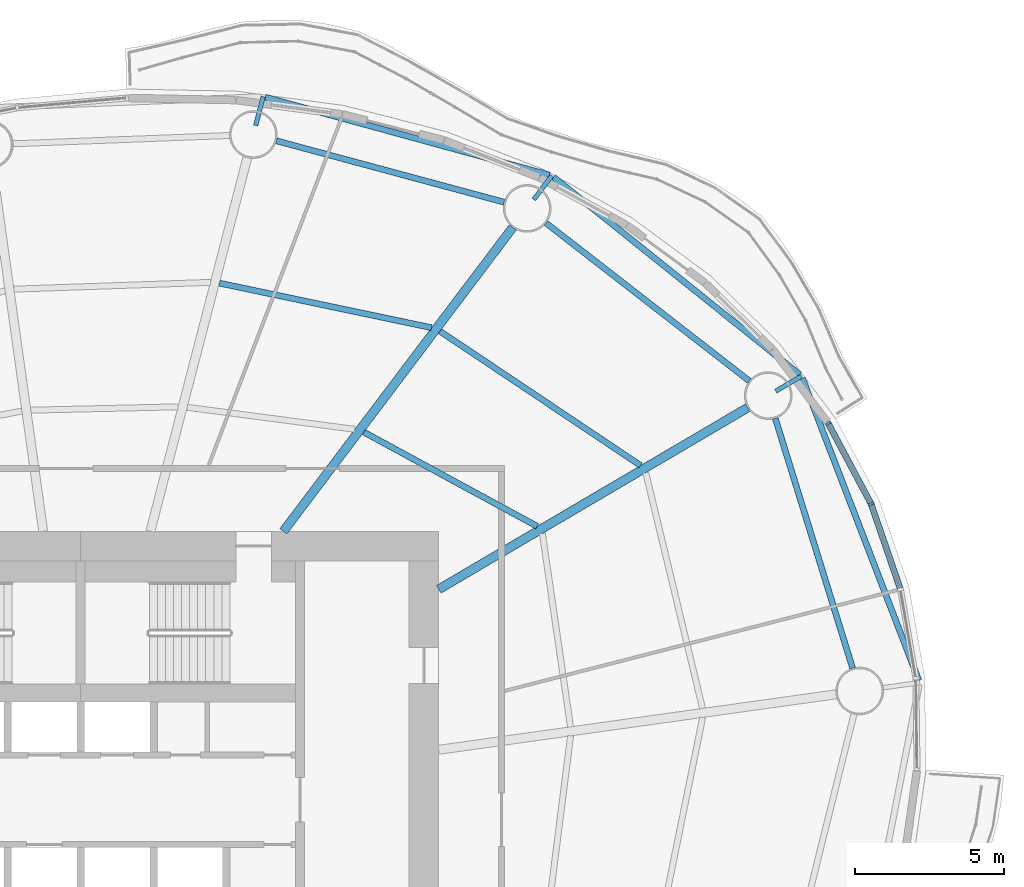
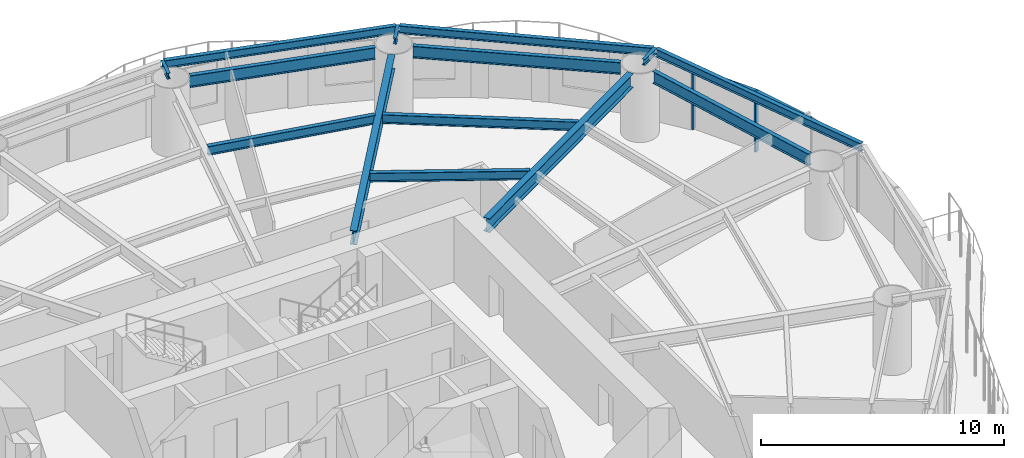
# One storey, part 6 of 17: 14 beams, 4 members, 2 elements without a shape of their own.
"""IFC4 building model written with IfcOpenShell, lengths in metres."""

from ifc_helpers import new_model, si_unit, direction, frame, origin, origin_2d, place, context, subcontext, project, spatial, rectangle, i_section, extrude, material, material_profile, profile_set, type_object, element, aggregate, save


model = new_model("IFC4")

# Units and contexts
model_context = context("Model", 3, precision=1e-05, world=origin(), true_north=direction((0.0, 1.0)))
body_context = subcontext(model_context, "Body", "Model", "MODEL_VIEW")
ifc_project = project(units=[si_unit("LENGTHUNIT", "METRE"), si_unit("AREAUNIT", "SQUARE_METRE"), si_unit("VOLUMEUNIT", "CUBIC_METRE"), si_unit("PLANEANGLEUNIT", "RADIAN"), si_unit("MASSUNIT", "GRAM", prefix="KILO")], contexts=[model_context])

# Site, building, storey
site_placement = place(None, origin())
site = spatial("IfcSite", under=ifc_project, at=site_placement, CompositionType="ELEMENT")
building_placement = place(site_placement, origin())
building = spatial("IfcBuilding", under=site, at=building_placement, Name="Vermilion Reach Broadcast Tower", CompositionType="ELEMENT")
storey_placement = place(building_placement, frame((0.0, 0.0, 92.199951171875)))
storey = spatial("IfcBuildingStorey", under=building, at=storey_placement, Name="L20", CompositionType="ELEMENT", Elevation=92.199951171875)

# Beams
ifc_material_1 = material(Name="Steel S355J2", Category="steel")
ifc_material_profile_1 = material_profile(ifc_material_1, i_section(OverallWidth=0.199951171875, OverallDepth=0.39990234375, WebThickness=0.008056640625, FlangeThickness=0.012939453125, at=origin_2d()), Name="S355J2 HN 400x200x8x13")
ifc_profile_set_1 = profile_set([ifc_material_profile_1], Name="Steel S355J2")
beam_type_1 = type_object("IfcBeamType", Name="EB2 HN 400x200x8x13", PredefinedType="BEAM", material=ifc_profile_set_1)
beam_1_placement = place(storey_placement, frame((18.0966796875, 14.252685546875, 3.25), z_axis=(-0.780016605802, 0.625758815098, 0.0), x_axis=(-0.625758815098, -0.780016605802, 0.0)))
element("IfcBeam", 1, at=beam_1_placement, inside=storey, type_object=beam_type_1, Name="Edge beam EB2-01", PredefinedType="BEAM", context=body_context, shape_type="SweptSolid", body=[
    extrude(i_section(OverallWidth=0.199951171875, OverallDepth=0.39990234375, WebThickness=0.008056640625, FlangeThickness=0.012939453125, at=origin_2d()), origin(), (0.0, 0.0, 1.0), 10.573974609375),
])
beam_2_placement = place(storey_placement, frame((9.71240234375, 20.937744140625, 3.25), z_axis=(-0.964459063659, 0.264232311662, 0.0), x_axis=(-0.264232311662, -0.964459063659, 0.0)))
element("IfcBeam", 2, at=beam_2_placement, inside=storey, type_object=beam_type_1, Name="Edge beam EB2-02", PredefinedType="BEAM", context=body_context, shape_type="SweptSolid", body=[
    extrude(i_section(OverallWidth=0.199951171875, OverallDepth=0.39990234375, WebThickness=0.008056640625, FlangeThickness=0.012939453125, at=origin_2d()), origin(), (0.0, 0.0, 1.0), 9.874267578125),
])
beam_3_placement = place(storey_placement, frame((22.091552734375, 3.998779296875, 3.25), z_axis=(-0.359604215005, 0.933104929014, 0.0), x_axis=(-0.933104929014, -0.359604215005, 0.0)))
element("IfcBeam", 3, at=beam_3_placement, inside=storey, type_object=beam_type_1, Name="Edge beam EB2-16", PredefinedType="BEAM", context=body_context, shape_type="SweptSolid", body=[
    extrude(i_section(OverallWidth=0.199951171875, OverallDepth=0.39990234375, WebThickness=0.008056640625, FlangeThickness=0.012939453125, at=origin_2d()), origin(), (0.0, 0.0, 1.0), 10.859130859375),
])
ifc_material_2 = material(Name="Steel S355J2", Category="steel")
ifc_material_profile_2 = material_profile(ifc_material_2, i_section(OverallWidth=0.300048828125, OverallDepth=0.699951171875, WebThickness=0.012939453125, FlangeThickness=0.02392578125, at=origin_2d()), Name="S355J2 HN 700x300x13x24")
ifc_profile_set_2 = profile_set([ifc_material_profile_2], Name="Steel S355J2")
beam_type_2 = type_object("IfcBeamType", Name="G2 HN 700x300x13x24", PredefinedType="BEAM", material=ifc_profile_set_2)
beam_4_placement = place(storey_placement, frame((6.0, 7.054443359375, 3.10009765625), z_axis=(0.862071616631, 0.506786471603, 0.0), x_axis=(-0.506786471603, 0.862071616631, 0.0)))
element("IfcBeam", 4, at=beam_4_placement, inside=storey, type_object=beam_type_2, Name="Girder G2-01", PredefinedType="BEAM", context=body_context, shape_type="SweptSolid", body=[
    extrude(i_section(OverallWidth=0.300048828125, OverallDepth=0.699951171875, WebThickness=0.012939453125, FlangeThickness=0.02392578125, at=origin_2d()), origin(), (0.0, 0.0, 1.0), 12.01025390625),
])
beam_5_placement = place(storey_placement, frame((0.794189453125, 9.0, 3.10009765625), z_axis=(0.602519842365, 0.798103902733, 0.0), x_axis=(-0.798103902733, 0.602519842365, 0.0)))
element("IfcBeam", 5, at=beam_5_placement, inside=storey, type_object=beam_type_2, Name="Girder G2-02", PredefinedType="BEAM", context=body_context, shape_type="SweptSolid", body=[
    extrude(i_section(OverallWidth=0.300048828125, OverallDepth=0.699951171875, WebThickness=0.012939453125, FlangeThickness=0.02392578125, at=origin_2d()), origin(), (0.0, 0.0, 1.0), 12.758544921875),
])
ifc_material_3 = material(Name="Steel S355J2", Category="steel")
ifc_material_profile_3 = material_profile(ifc_material_3, i_section(OverallWidth=0.14990234375, OverallDepth=0.300048828125, WebThickness=0.006591796875, FlangeThickness=0.009033203125, at=origin_2d()), Name="S355J2 HN 300x150x6.5x9")
ifc_profile_set_3 = profile_set([ifc_material_profile_3], Name="Steel S355J2")
beam_type_3 = type_object("IfcBeamType", Name="GS2 HN 300x150x6.5x9", PredefinedType="BEAM", material=ifc_profile_set_3)
for number, where, z_axis, x_axis, name in (
    (6, (17.297119140625, 13.69580078125, 3.300048828125), (0.862153821816, 0.506646610102, 0.0), (-0.506646610102, 0.862153821816, 0.0), "Cantilever stub GS2-01"),
    (7, (9.187744140625, 20.118408203125, 3.300048828125), (0.602536027779, 0.798091683473, 0.0), (-0.798091683473, 0.602536027779, 0.0), "Cantilever stub GS2-02"),
):
    element("IfcBeam", number, at=place(storey_placement, frame(where, z_axis=z_axis, x_axis=x_axis)), inside=storey, type_object=beam_type_3, Name=name, PredefinedType="BEAM", context=body_context, shape_type="SweptSolid", body=[
        extrude(i_section(OverallWidth=0.14990234375, OverallDepth=0.300048828125, WebThickness=0.006591796875, FlangeThickness=0.009033203125, at=origin_2d()), origin(), (0.0, 0.0, 1.0), 1.0),
    ])
beam_6_placement = place(storey_placement, frame((-0.134521484375, 22.598876953125, 3.300048828125), z_axis=(0.251258738033, 0.967919958758, 0.0), x_axis=(-0.967919958758, 0.251258738033, 0.0)))
element("IfcBeam", 8, at=beam_6_placement, inside=storey, type_object=beam_type_3, Name="Cantilever stub GS2-03", PredefinedType="BEAM", context=body_context, shape_type="SweptSolid", body=[
    extrude(i_section(OverallWidth=0.14990234375, OverallDepth=0.300048828125, WebThickness=0.006591796875, FlangeThickness=0.009033203125, at=origin_2d()), origin(), (0.0, 0.0, 1.0), 0.999755859375),
])
ifc_material_4 = material(Name="Steel S355J2", Category="steel")
ifc_material_profile_4 = material_profile(ifc_material_4, i_section(OverallWidth=0.199951171875, OverallDepth=0.60009765625, WebThickness=0.010986328125, FlangeThickness=0.01708984375, at=origin_2d()), Name="S355J2 HN 600x200x11x17")
ifc_profile_set_4 = profile_set([ifc_material_profile_4], Name="Steel S355J2")
beam_type_4 = type_object("IfcBeamType", Name="RB2 HN 600x200x11x17", PredefinedType="BEAM", material=ifc_profile_set_4)
beam_7_placement = place(storey_placement, frame((16.41162109375, 14.037109375, 3.150146484375), z_axis=(-0.789825712432, 0.613331349257, 0.0), x_axis=(-0.613331349257, -0.789825712432, 0.0)))
element("IfcBeam", 9, at=beam_7_placement, inside=storey, type_object=beam_type_4, Name="Ring beam RB2-01", PredefinedType="BEAM", context=body_context, shape_type="SweptSolid", body=[
    extrude(i_section(OverallWidth=0.199951171875, OverallDepth=0.60009765625, WebThickness=0.010986328125, FlangeThickness=0.01708984375, at=origin_2d()), origin(), (0.0, 0.0, 1.0), 8.63037109375),
])
beam_8_placement = place(storey_placement, frame((8.19091796875, 20.029296875, 3.150146484375), z_axis=(-0.965541463834, 0.260249268234, 0.0), x_axis=(-0.260249268234, -0.965541463834, 0.0)))
element("IfcBeam", 10, at=beam_8_placement, inside=storey, type_object=beam_type_4, Name="Ring beam RB2-02", PredefinedType="BEAM", context=body_context, shape_type="SweptSolid", body=[
    extrude(i_section(OverallWidth=0.199951171875, OverallDepth=0.60009765625, WebThickness=0.010986328125, FlangeThickness=0.01708984375, at=origin_2d()), origin(), (0.0, 0.0, 1.0), 7.904541015625),
])
beam_9_placement = place(storey_placement, frame((19.872314453125, 4.410400390625, 3.150146484375), z_axis=(-0.295788439635, 0.95525347368, 0.0), x_axis=(-0.95525347368, -0.295788439635, 0.0)))
element("IfcBeam", 11, at=beam_9_placement, inside=storey, type_object=beam_type_4, Name="Ring beam RB2-16", PredefinedType="BEAM", context=body_context, shape_type="SweptSolid", body=[
    extrude(i_section(OverallWidth=0.199951171875, OverallDepth=0.60009765625, WebThickness=0.010986328125, FlangeThickness=0.01708984375, at=origin_2d()), origin(), (0.0, 0.0, 1.0), 8.763916015625),
])
ifc_material_5 = material(Name="Steel S355J2", Category="steel")
ifc_material_profile_5 = material_profile(ifc_material_5, i_section(OverallWidth=0.199951171875, OverallDepth=0.449951171875, WebThickness=0.009033203125, FlangeThickness=0.013916015625, at=origin_2d()), Name="S355J2 HN 450x200x9x14")
ifc_profile_set_5 = profile_set([ifc_material_profile_5], Name="Steel S355J2")
beam_type_5 = type_object("IfcBeamType", Name="SB2 HN 450x200x9x14", PredefinedType="BEAM", material=ifc_profile_set_5)
beam_10_placement = place(storey_placement, frame((9.29736328125, 9.1669921875, 3.22509765625), z_axis=(-0.878713106774, 0.477350265512, 0.0), x_axis=(-0.477350265512, -0.878713106774, 0.0)))
element("IfcBeam", 12, at=beam_10_placement, inside=storey, type_object=beam_type_5, Name="Secondary beam SB2-01-1", PredefinedType="BEAM", context=body_context, shape_type="SweptSolid", body=[
    extrude(i_section(OverallWidth=0.199951171875, OverallDepth=0.449951171875, WebThickness=0.009033203125, FlangeThickness=0.013916015625, at=origin_2d()), origin(), (0.0, 0.0, 1.0), 6.60888671875),
])
beam_11_placement = place(storey_placement, frame((12.76416015625, 11.204833984375, 3.22509765625), z_axis=(-0.830915400975, 0.556398774641, 0.0), x_axis=(-0.556398774641, -0.830915400975, 0.0)))
element("IfcBeam", 13, at=beam_11_placement, inside=storey, type_object=beam_type_5, Name="Secondary beam SB2-01-2", PredefinedType="BEAM", context=body_context, shape_type="SweptSolid", body=[
    extrude(i_section(OverallWidth=0.199951171875, OverallDepth=0.449951171875, WebThickness=0.009033203125, FlangeThickness=0.013916015625, at=origin_2d()), origin(), (0.0, 0.0, 1.0), 8.087646484375),
])
beam_12_placement = place(storey_placement, frame((5.7568359375, 15.822509765625, 3.22509765625), z_axis=(-0.978631382549, 0.205622511148, 0.0), x_axis=(-0.205622511148, -0.978631382549, 0.0)))
element("IfcBeam", 14, at=beam_12_placement, inside=storey, type_object=beam_type_5, Name="Secondary beam SB2-02-2", PredefinedType="BEAM", context=body_context, shape_type="SweptSolid", body=[
    extrude(i_section(OverallWidth=0.199951171875, OverallDepth=0.449951171875, WebThickness=0.009033203125, FlangeThickness=0.013916015625, at=origin_2d()), origin(), (0.0, 0.0, 1.0), 7.262939453125),
])

# Curtain wall, members
ifc_material_6 = material(Name="Low-e laminated clear glass in aluminium frame", Category="aluminium")
curtain_wall_type = type_object("IfcCurtainWallType", Name="Slot curtain wall", PredefinedType="NOTDEFINED", material=ifc_material_6)
placement = place(storey_placement, origin())
curtain_wall_1 = element("IfcCurtainWall", 15, at=placement, inside=storey, type_object=curtain_wall_type, Name="Slot curtain wall L20 01", PredefinedType="NOTDEFINED")
ifc_material_7 = material(Name="Anodised aluminium", Category="aluminium")
ifc_material_profile_6 = material_profile(ifc_material_7, rectangle(XDim=0.199951171875, YDim=0.080078125, at=origin_2d()), Name="Slot mullion 80 x 200")
ifc_profile_set_6 = profile_set([ifc_material_profile_6], Name="Anodised aluminium")
member_type_1 = type_object("IfcMemberType", Name="Slot mullion 80 x 200", PredefinedType="MULLION", material=ifc_profile_set_6)
member_1_placement = place(storey_placement, frame((20.489990234375, 9.91796875, 0.0), z_axis=(0.0, 0.0, 1.0), x_axis=(-0.916998224506, -0.398891283751, 0.0)))
member_1 = element("IfcMember", 16, at=member_1_placement, type_object=member_type_1, Name="Slot mullion L20 01", PredefinedType="MULLION", context=body_context, shape_type="SweptSolid", body=[
    extrude(rectangle(XDim=0.199951171875, YDim=0.080078125, at=origin_2d()), origin(), (0.0, 0.0, 1.0), 3.050048828125),
])
member_2_placement = place(storey_placement, frame((19.05419921875, 12.61328125, 0.0), z_axis=(0.0, 0.0, 1.0), x_axis=(-0.843640508692, -0.536908457835, 0.0)))
member_2 = element("IfcMember", 17, at=member_2_placement, type_object=member_type_1, Name="Slot mullion L20 02", PredefinedType="MULLION", context=body_context, shape_type="SweptSolid", body=[
    extrude(rectangle(XDim=0.199951171875, YDim=0.080078125, at=origin_2d()), origin(), (0.0, 0.0, 1.0), 3.050048828125),
])

# Curtain wall, member
curtain_wall_2 = element("IfcCurtainWall", 18, at=placement, inside=storey, type_object=curtain_wall_type, Name="Slot curtain wall L20 00", PredefinedType="NOTDEFINED")
ifc_material_8 = material(Name="Anodised aluminium", Category="aluminium")
ifc_material_profile_7 = material_profile(ifc_material_8, rectangle(XDim=0.199951171875, YDim=0.10009765625, at=origin_2d()), Name="Slot transom 200 x 100")
ifc_profile_set_7 = profile_set([ifc_material_profile_7], Name="Anodised aluminium")
member_type_2 = type_object("IfcMemberType", Name="Slot transom 200 x 100", PredefinedType="USERDEFINED", material=ifc_profile_set_7)
member_3_placement = place(storey_placement, frame((21.461669921875, 7.092041015625, 3.0), z_axis=(-0.325181593456, 0.94565159085, 0.0), x_axis=(-0.94565159085, -0.325181593456, 0.0)))
member_3 = element("IfcMember", 19, at=member_3_placement, type_object=member_type_2, Name="Slot transom L20 00.1", ObjectType="TRANSOM", PredefinedType="USERDEFINED", context=body_context, shape_type="SweptSolid", body=[
    extrude(rectangle(XDim=0.199951171875, YDim=0.10009765625, at=origin_2d()), origin(), (0.0, 0.0, 1.0), 2.9482421875),
])
aggregate(curtain_wall_2, [member_3])

# Member
member_4_placement = place(storey_placement, frame((20.47119140625, 9.953125, 3.0), z_axis=(-0.470115241315, 0.882605041841, 0.0), x_axis=(-0.882605041841, -0.470115241315, 0.0)))
member_4 = element("IfcMember", 20, at=member_4_placement, type_object=member_type_2, Name="Slot transom L20 01.1", ObjectType="TRANSOM", PredefinedType="USERDEFINED", context=body_context, shape_type="SweptSolid", body=[
    extrude(rectangle(XDim=0.199951171875, YDim=0.10009765625, at=origin_2d()), origin(), (0.0, 0.0, 1.0), 2.97412109375),
])

aggregate(curtain_wall_1, [member_1, member_2, member_4])

save(model, "model.ifc")
